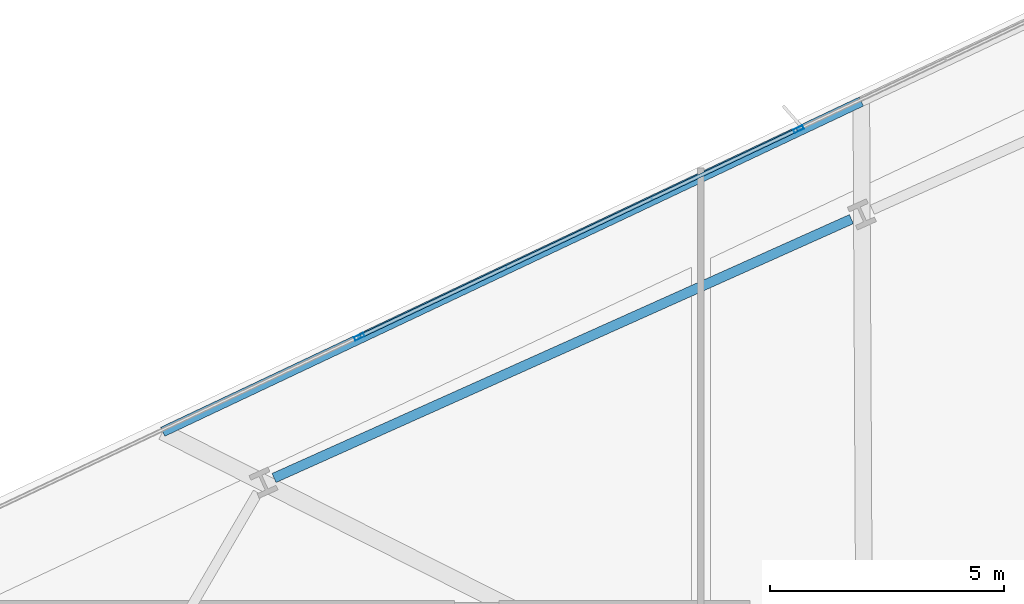
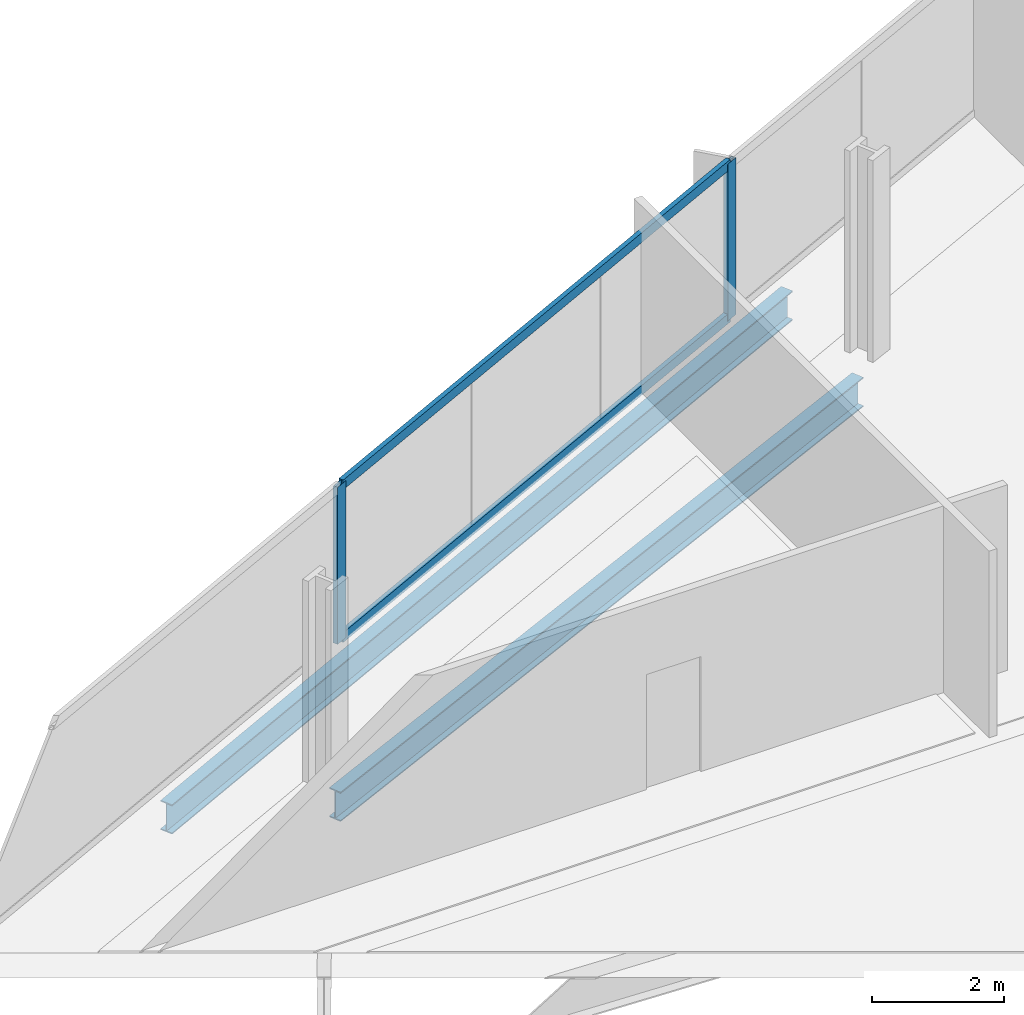
# One storey, part 17 of 34: 4 members, 2 beams, 1 element without a shape of its own.
"""IFC4 building model written with IfcOpenShell, lengths in metres."""

from ifc_helpers import new_model, si_unit, direction, frame, origin, origin_2d, place, context, subcontext, project, spatial, hollow_rectangle, i_section, extrude, material, material_profile, profile_set, type_object, element, aggregate, save


model = new_model("IFC4")

# Units and contexts
model_context = context("Model", 3, precision=1e-05, world=origin(), true_north=direction((0.0, 1.0)))
body_context = subcontext(model_context, "Body", "Model", "MODEL_VIEW")
ifc_project = project(units=[si_unit("LENGTHUNIT", "METRE"), si_unit("AREAUNIT", "SQUARE_METRE"), si_unit("VOLUMEUNIT", "CUBIC_METRE"), si_unit("PLANEANGLEUNIT", "RADIAN"), si_unit("MASSUNIT", "GRAM", prefix="KILO")], contexts=[model_context])

# Site, building, storey
site_placement = place(None, origin())
site = spatial("IfcSite", under=ifc_project, at=site_placement, CompositionType="ELEMENT")
building_placement = place(site_placement, origin())
building = spatial("IfcBuilding", under=site, at=building_placement, Name="Haldenkirk Collegiate Tower", CompositionType="ELEMENT")
storey_placement = place(building_placement, frame((0.0, 0.0, 112.949951171875)))
storey = spatial("IfcBuildingStorey", under=building, at=storey_placement, Name="L27", CompositionType="ELEMENT", Elevation=112.949951171875)

# Beams
ifc_material_1 = material(Name="Steel ASTM A992 Grade 50", Category="steel")
ifc_material_profile_1 = material_profile(ifc_material_1, i_section(OverallWidth=0.2119140625, OverallDepth=0.5439453125, WebThickness=0.01318359375, FlangeThickness=0.021240234375, at=origin_2d()), Name="W21X83")
ifc_profile_set_1 = profile_set([ifc_material_profile_1], Name="Steel ASTM A992 Grade 50")
beam_type = type_object("IfcBeamType", Name="BM-SPANDREL-W21X83", PredefinedType="SPANDREL", material=ifc_profile_set_1)
beam_1_placement = place(storey_placement, frame((26.7138671875, 46.111083984375, -0.572021484375), z_axis=(-0.912476765144, -0.409128528793, 0.0), x_axis=(0.409128528793, -0.912476765144, 0.0)))
element("IfcBeam", 1, at=beam_1_placement, inside=storey, type_object=beam_type, Name="L27 perimeter spandrel beam 11", PredefinedType="SPANDREL", context=body_context, shape_type="SweptSolid", body=[
    extrude(i_section(OverallWidth=0.2119140625, OverallDepth=0.5439453125, WebThickness=0.01318359375, FlangeThickness=0.021240234375, at=origin_2d()), origin(), (0.0, 0.0, 1.0), 13.512939453125),
])
beam_2_placement = place(storey_placement, frame((26.925537109375, 48.62158203125, -0.572021484375), z_axis=(-0.904082763214, -0.427357411611, 0.0), x_axis=(0.427357411611, -0.904082763214, 0.0)))
element("IfcBeam", 2, at=beam_2_placement, inside=storey, type_object=beam_type, Name="L27 outer facade edge beam 3B", PredefinedType="SPANDREL", context=body_context, shape_type="SweptSolid", body=[
    extrude(i_section(OverallWidth=0.2119140625, OverallDepth=0.5439453125, WebThickness=0.01318359375, FlangeThickness=0.021240234375, at=origin_2d()), origin(), (0.0, 0.0, 1.0), 16.50244140625),
])

# Curtain wall, members
ifc_material_2 = material(Name="Anodised architectural bronze aluminium", Category="aluminium")
curtain_wall_type = type_object("IfcCurtainWallType", Name="CW-SYS1-CONVEX-LOW", PredefinedType="USERDEFINED", material=ifc_material_2)
curtain_wall_placement = place(storey_placement, origin())
curtain_wall = element("IfcCurtainWall", 3, at=curtain_wall_placement, inside=storey, type_object=curtain_wall_type, Name="L27 Lower tower convex bronze-framed unitised curtain wall", ObjectType="UNITISED CURTAIN WALL", PredefinedType="USERDEFINED")
ifc_material_profile_2 = material_profile(ifc_material_2, hollow_rectangle(XDim=0.080078125, YDim=0.219970703125, WallThickness=0.0048828125, at=origin_2d()), Name="CW-MUL-1A")
ifc_profile_set_2 = profile_set([ifc_material_profile_2], Name="Anodised architectural bronze aluminium")
member_type_1 = type_object("IfcMemberType", Name="CW-MUL-1A", PredefinedType="MULLION", material=ifc_profile_set_2)
member_1_placement = place(storey_placement, frame((16.20556640625, 43.5986328125, 0.0), z_axis=(0.0, 0.0, 1.0), x_axis=(-0.42735906226, 0.904081982955, 0.0)))
member_1 = element("IfcMember", 4, at=member_1_placement, type_object=member_type_1, Name="CW-1A mullion 2", PredefinedType="MULLION", context=body_context, shape_type="SweptSolid", body=[
    extrude(hollow_rectangle(XDim=0.080078125, YDim=0.219970703125, WallThickness=0.0048828125, at=origin_2d()), origin(), (0.0, 0.0, 1.0), 2.901123046875),
])
member_2_placement = place(storey_placement, frame((25.585205078125, 48.032470703125, 0.0), z_axis=(0.0, 0.0, 1.0), x_axis=(-0.42735906226, 0.904081982955, 0.0)))
member_2 = element("IfcMember", 5, at=member_2_placement, type_object=member_type_1, Name="CW-1A mullion 3", PredefinedType="MULLION", context=body_context, shape_type="SweptSolid", body=[
    extrude(hollow_rectangle(XDim=0.080078125, YDim=0.219970703125, WallThickness=0.0048828125, at=origin_2d()), origin(), (0.0, 0.0, 1.0), 2.901123046875),
])
ifc_material_profile_3 = material_profile(ifc_material_2, hollow_rectangle(XDim=0.080078125, YDim=0.179931640625, WallThickness=0.0048828125, at=origin_2d()), Name="CW-TRN-1A")
ifc_profile_set_3 = profile_set([ifc_material_profile_3], Name="Anodised architectural bronze aluminium")
member_type_2 = type_object("IfcMemberType", Name="CW-TRN-1A", PredefinedType="USERDEFINED", material=ifc_profile_set_3)
member_3_placement = place(storey_placement, frame((16.24169921875, 43.61572265625, 0.0400390625), z_axis=(0.904079430158, 0.427364462683, 0.0), x_axis=(-0.427364462683, 0.904079430158, 0.0)))
member_3 = element("IfcMember", 6, at=member_3_placement, type_object=member_type_2, Name="CW-1A transom 2.1", ObjectType="TRANSOM", PredefinedType="USERDEFINED", context=body_context, shape_type="SweptSolid", body=[
    extrude(hollow_rectangle(XDim=0.080078125, YDim=0.179931640625, WallThickness=0.0048828125, at=origin_2d()), origin(), (0.0, 0.0, 1.0), 10.294921875),
])
member_4_placement = place(storey_placement, frame((16.24169921875, 43.61572265625, 2.861083984375), z_axis=(0.904079430158, 0.427364462683, 0.0), x_axis=(-0.427364462683, 0.904079430158, 0.0)))
member_4 = element("IfcMember", 7, at=member_4_placement, type_object=member_type_2, Name="CW-1A transom 2.2", ObjectType="TRANSOM", PredefinedType="USERDEFINED", context=body_context, shape_type="SweptSolid", body=[
    extrude(hollow_rectangle(XDim=0.080078125, YDim=0.179931640625, WallThickness=0.0048828125, at=origin_2d()), origin(), (0.0, 0.0, 1.0), 10.294921875),
])
aggregate(curtain_wall, [member_1, member_2, member_3, member_4])

save(model, "model.ifc")
